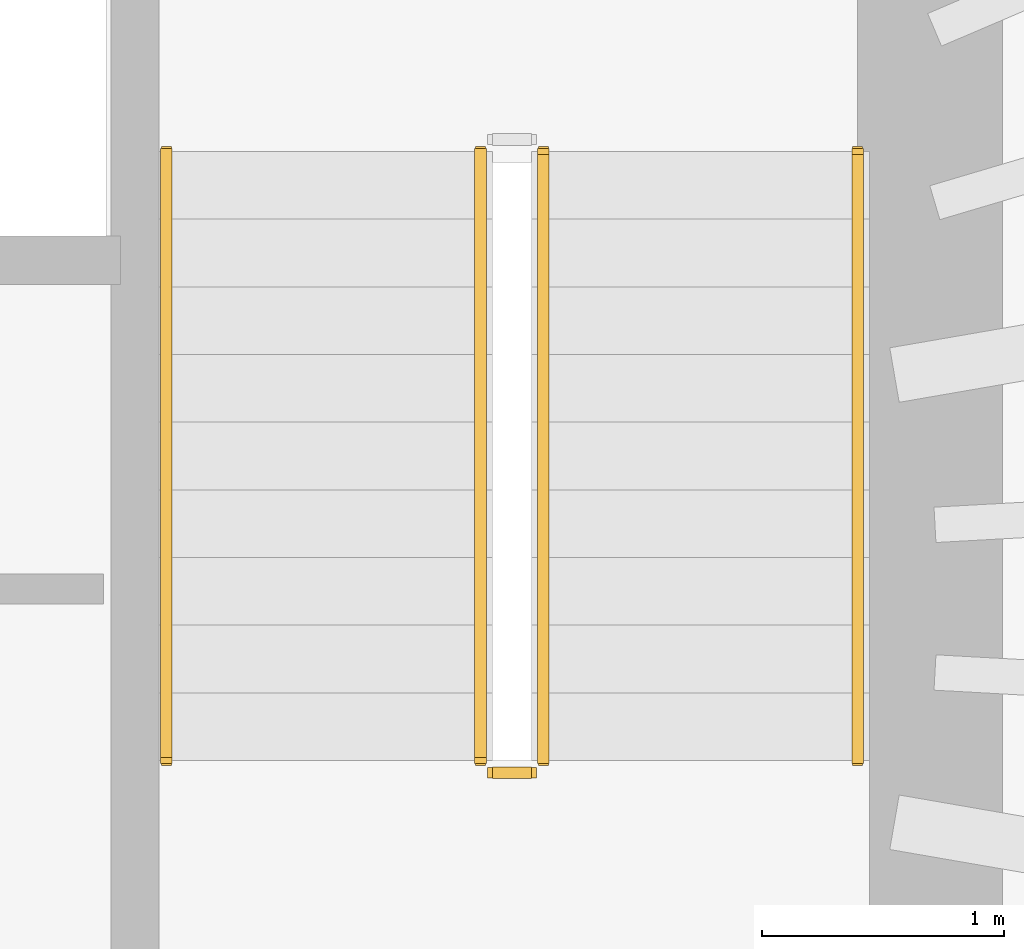
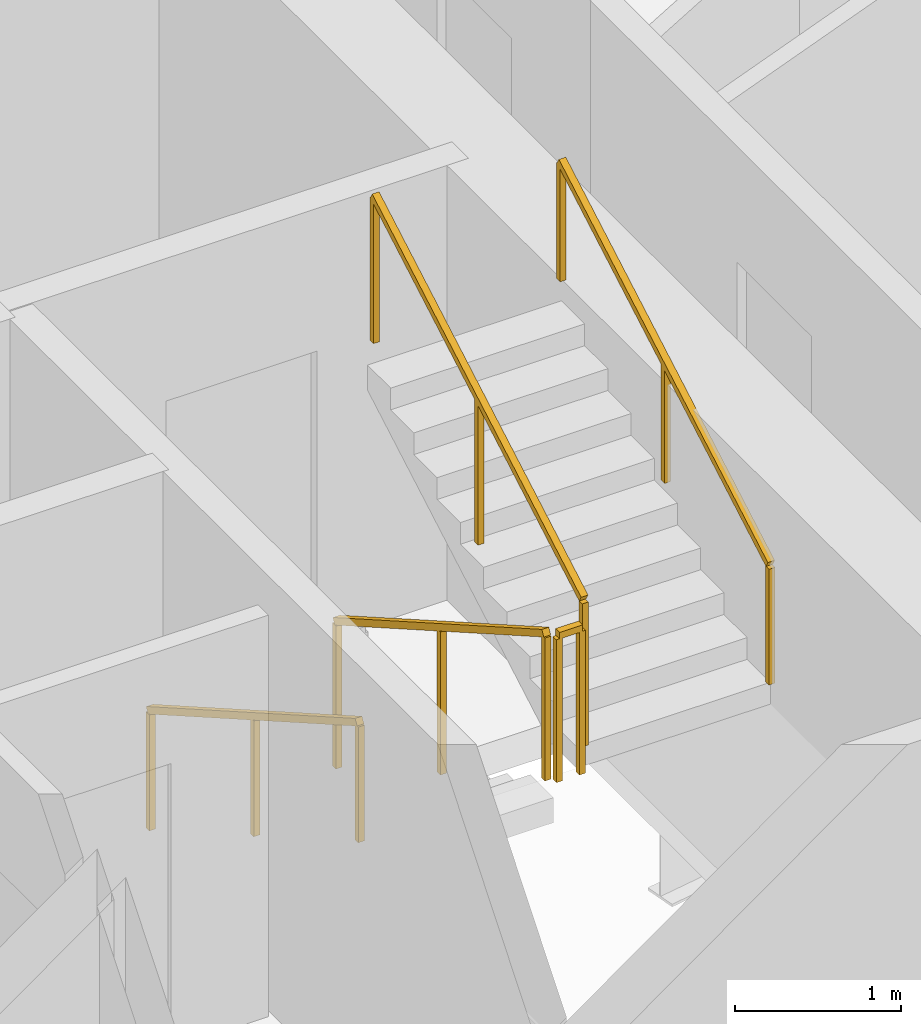
# One storey, part 10 of 12: 5 railings.
"""IFC4 building model written with IfcOpenShell, lengths in metres."""

from ifc_helpers import new_model, si_unit, direction, frame, origin, origin_2d, place, context, subcontext, project, spatial, rectangle, extrude, material, type_object, element, save


model = new_model("IFC4")

# Units and contexts
model_context = context("Model", 3, precision=1e-05, world=origin(), true_north=direction((0.0, 1.0)))
body_context = subcontext(model_context, "Body", "Model", "MODEL_VIEW")
ifc_project = project(units=[si_unit("LENGTHUNIT", "METRE"), si_unit("AREAUNIT", "SQUARE_METRE"), si_unit("VOLUMEUNIT", "CUBIC_METRE"), si_unit("PLANEANGLEUNIT", "RADIAN"), si_unit("MASSUNIT", "GRAM", prefix="KILO")], contexts=[model_context])

# Site, building, storey
site_placement = place(None, origin())
site = spatial("IfcSite", under=ifc_project, at=site_placement, CompositionType="ELEMENT")
building_placement = place(site_placement, origin())
building = spatial("IfcBuilding", under=site, at=building_placement, Name="Veldorim Arch Residences", CompositionType="ELEMENT")
storey_placement = place(building_placement, frame((0.0, 0.0, 145.760009765625)))
storey = spatial("IfcBuildingStorey", under=building, at=storey_placement, Name="L43", CompositionType="ELEMENT", Elevation=145.760009765625)

# Railings
ifc_material_1 = material(Name="Steel S355", Category="steel")
railing_type_1 = type_object("IfcRailingType", Name="Galvanised Steel Stair Safety Guardrail 1100", PredefinedType="GUARDRAIL", material=ifc_material_1)
railing_1_placement = place(storey_placement, frame((35.639892578125, 25.85009765625, 0.159912109375)))
element("IfcRailing", 1, at=railing_1_placement, inside=storey, type_object=railing_type_1, Name="L43 ST-2 stair guard 1", PredefinedType="GUARDRAIL", context=body_context, shape_type="SweptSolid", body=[
    extrude(rectangle(XDim=0.048095703125, YDim=0.048095703125, at=origin_2d()), frame((0.0, 0.0, 1.076171875), z_axis=(0.0, -0.868217259934, 0.496184229447), x_axis=(1.0, 0.0, 0.0)), (0.0, 0.0, 1.0), 2.902587890625),
    extrude(rectangle(XDim=0.0419921875, YDim=0.0419921875, at=origin_2d()), origin(), (0.0, 0.0, 1.0), 1.052001953125),
    extrude(rectangle(XDim=0.0419921875, YDim=0.0419921875, at=origin_2d()), frame((0.0, -1.260009765625, 0.72021484375)), (0.0, 0.0, 1.0), 1.052001953125),
    extrude(rectangle(XDim=0.0419921875, YDim=0.0419921875, at=origin_2d()), frame((0.0, -2.52001953125, 1.440185546875)), (0.0, 0.0, 1.0), 1.052001953125),
])
railing_2_placement = place(storey_placement, frame((35.68994140625, 23.280029296875, 1.60009765625)))
element("IfcRailing", 2, at=railing_2_placement, inside=storey, type_object=railing_type_1, Name="L43 ST-2 stair guard 2", PredefinedType="GUARDRAIL", context=body_context, shape_type="SweptSolid", body=[
    extrude(rectangle(XDim=0.048095703125, YDim=0.048095703125, at=origin_2d()), frame((0.0, 0.0, 1.076171875), z_axis=(1.0, 0.0, 0.0), x_axis=(0.0, 1.0, 0.0)), (0.0, 0.0, 1.0), 0.16015625),
    extrude(rectangle(XDim=0.0419921875, YDim=0.0419921875, at=origin_2d()), origin(), (0.0, 0.0, 1.0), 1.052001953125),
    extrude(rectangle(XDim=0.0419921875, YDim=0.0419921875, at=origin_2d()), frame((0.16015625, 0.0, 0.0)), (0.0, 0.0, 1.0), 1.052001953125),
])
railing_3_placement = place(storey_placement, frame((35.89990234375, 23.330078125, 1.760009765625)))
element("IfcRailing", 3, at=railing_3_placement, inside=storey, type_object=railing_type_1, Name="L43 ST-2 stair guard 3", PredefinedType="GUARDRAIL", context=body_context, shape_type="SweptSolid", body=[
    extrude(rectangle(XDim=0.048095703125, YDim=0.048095703125, at=origin_2d()), frame((0.0, 0.0, 1.076171875), z_axis=(0.0, 0.868253494771, 0.496120820787), x_axis=(-1.0, 0.0, 0.0)), (0.0, 0.0, 1.0), 2.90234375),
    extrude(rectangle(XDim=0.0419921875, YDim=0.0419921875, at=origin_2d()), origin(), (0.0, 0.0, 1.0), 1.052001953125),
    extrude(rectangle(XDim=0.0419921875, YDim=0.0419921875, at=origin_2d()), frame((0.0, 1.260009765625, 0.719970703125)), (0.0, 0.0, 1.0), 1.052001953125),
    extrude(rectangle(XDim=0.0419921875, YDim=0.0419921875, at=origin_2d()), frame((0.0, 2.52001953125, 1.43994140625)), (0.0, 0.0, 1.0), 1.052001953125),
])
ifc_material_2 = material(Name="Stainless Steel", Category="steel")
railing_type_2 = type_object("IfcRailingType", Name="Tubular Steel Continuous Wall Handrail 900", PredefinedType="HANDRAIL", material=ifc_material_2)
railing_4_placement = place(storey_placement, frame((34.340087890625, 25.85009765625, 0.159912109375)))
element("IfcRailing", 4, at=railing_4_placement, inside=storey, type_object=railing_type_2, Name="L43 ST-2 stair handrail 1", PredefinedType="HANDRAIL", context=body_context, shape_type="SweptSolid", body=[
    extrude(rectangle(XDim=0.048095703125, YDim=0.048095703125, at=origin_2d()), frame((0.0, 0.0, 0.8759765625), z_axis=(0.0, -0.868217259934, 0.496184229447), x_axis=(1.0, 0.0, 0.0)), (0.0, 0.0, 1.0), 2.902587890625),
    extrude(rectangle(XDim=0.0419921875, YDim=0.0419921875, at=origin_2d()), origin(), (0.0, 0.0, 1.0), 0.851806640625),
    extrude(rectangle(XDim=0.0419921875, YDim=0.0419921875, at=origin_2d()), frame((0.0, -1.260009765625, 0.72021484375)), (0.0, 0.0, 1.0), 0.851806640625),
    extrude(rectangle(XDim=0.0419921875, YDim=0.0419921875, at=origin_2d()), frame((0.0, -2.52001953125, 1.440185546875)), (0.0, 0.0, 1.0), 0.851806640625),
])
railing_5_placement = place(storey_placement, frame((37.199951171875, 23.330078125, 1.760009765625)))
element("IfcRailing", 5, at=railing_5_placement, inside=storey, type_object=railing_type_2, Name="L43 ST-2 stair handrail 2", PredefinedType="HANDRAIL", context=body_context, shape_type="SweptSolid", body=[
    extrude(rectangle(XDim=0.048095703125, YDim=0.048095703125, at=origin_2d()), frame((0.0, 0.0, 0.8759765625), z_axis=(0.0, 0.868253494771, 0.496120820787), x_axis=(-1.0, 0.0, 0.0)), (0.0, 0.0, 1.0), 2.90234375),
    extrude(rectangle(XDim=0.0419921875, YDim=0.0419921875, at=origin_2d()), origin(), (0.0, 0.0, 1.0), 0.851806640625),
    extrude(rectangle(XDim=0.0419921875, YDim=0.0419921875, at=origin_2d()), frame((0.0, 1.260009765625, 0.719970703125)), (0.0, 0.0, 1.0), 0.851806640625),
    extrude(rectangle(XDim=0.0419921875, YDim=0.0419921875, at=origin_2d()), frame((0.0, 2.52001953125, 1.43994140625)), (0.0, 0.0, 1.0), 0.851806640625),
])

save(model, "model.ifc")
